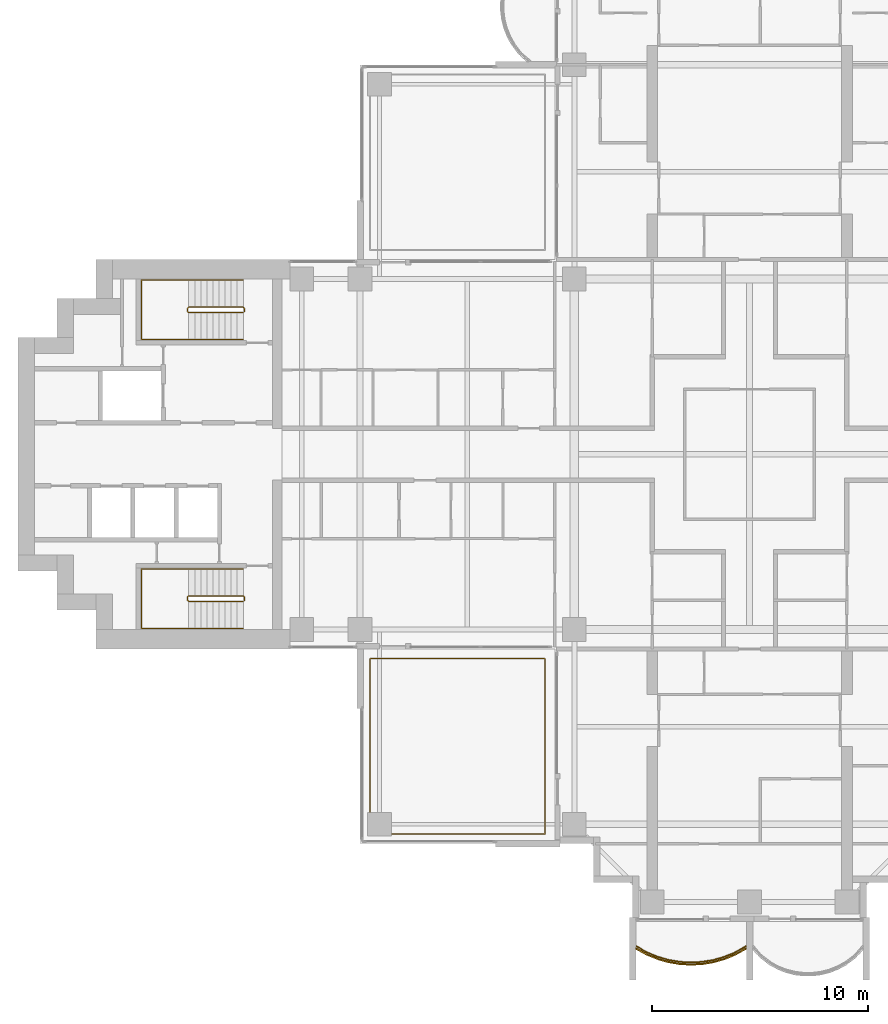
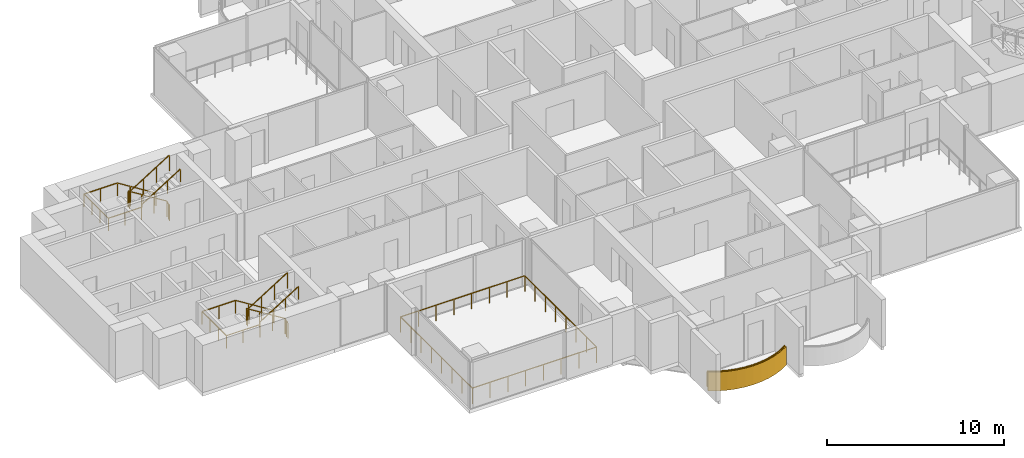
# One storey, part 16 of 19: 6 railings, 1 covering.
"""IFC4 building model written with IfcOpenShell, lengths in metres."""

from ifc_helpers import new_model, si_unit, direction, frame, origin, origin_2d, place, context, subcontext, project, spatial, polyline, rectangle, outline, extrude, material, layer, layer_set, type_object, element, save


model = new_model("IFC4")

# Units and contexts
model_context = context("Model", 3, precision=1e-05, world=origin(), true_north=direction((0.0, 1.0)))
body_context = subcontext(model_context, "Body", "Model", "MODEL_VIEW")
ifc_project = project(units=[si_unit("LENGTHUNIT", "METRE"), si_unit("AREAUNIT", "SQUARE_METRE"), si_unit("VOLUMEUNIT", "CUBIC_METRE"), si_unit("PLANEANGLEUNIT", "RADIAN"), si_unit("MASSUNIT", "GRAM", prefix="KILO")], contexts=[model_context])

# Site, building, storey
site_placement = place(None, origin())
site = spatial("IfcSite", under=ifc_project, at=site_placement, CompositionType="ELEMENT")
building_placement = place(site_placement, origin())
building = spatial("IfcBuilding", under=site, at=building_placement, Name="Perihelion Cross Residences", CompositionType="ELEMENT")
storey_placement = place(building_placement, frame((0.0, 0.0, 144.39990234375)))
storey = spatial("IfcBuildingStorey", under=building, at=storey_placement, Name="L35", CompositionType="ELEMENT", Elevation=144.39990234375)

# Covering
ifc_material_1 = material(Name="Bronze anodised aluminium", Category="aluminium")
ifc_layer = layer(ifc_material_1, 0.070068359375)
ifc_layer_set = layer_set([ifc_layer], Name="Balcony fascia 1300")
covering_type = type_object("IfcCoveringType", Name="Balcony fascia 1300", PredefinedType="CLADDING", material=ifc_layer_set)
covering_placement = place(storey_placement, frame((0.0, 0.0, -0.199951171875)))
element("IfcCovering", 1, at=covering_placement, inside=storey, type_object=covering_type, Name="Fascia BF1 L35 south tip south bay 1", PredefinedType="CLADDING", context=body_context, shape_type="SweptSolid", body=[
    extrude(outline(polyline([(-4.7705078125, -23.1484375), (-4.2529296875, -23.36083984375), (-3.735107421875, -23.506591796875), (-3.217529296875, -23.591796875), (-2.699951171875, -23.6201171875), (-2.182373046875, -23.591796875), (-1.664794921875, -23.506591796875), (-1.147216796875, -23.36083984375), (-0.629638671875, -23.1484375), (-0.14990234375, -22.880126953125), (-0.14990234375, -22.800048828125), (-0.659912109375, -23.085205078125), (-1.169921875, -23.294677734375), (-1.679931640625, -23.438232421875), (-2.18994140625, -23.522216796875), (-2.699951171875, -23.550048828125), (-3.2099609375, -23.522216796875), (-3.719970703125, -23.438232421875), (-4.22998046875, -23.294677734375), (-4.739990234375, -23.085205078125), (-5.25, -22.800048828125), (-5.25, -22.880126953125), (-4.7705078125, -23.1484375)])), origin(), (0.0, 0.0, 1.0), 1.300048828125),
])

# Railings
ifc_material_2 = material(Name="Bronze anodised aluminium", Category="aluminium")
railing_type_1 = type_object("IfcRailingType", Name="Balcony guard 1100", PredefinedType="GUARDRAIL", material=ifc_material_2)
railing_1_placement = place(storey_placement, frame((-5.22509765625, -22.739990234375, 0.0)))
element("IfcRailing", 2, at=railing_1_placement, inside=storey, type_object=railing_type_1, Name="Guard GU1 L35 south tip south bay 1 balcony", PredefinedType="GUARDRAIL", context=body_context, shape_type="SweptSolid", body=[
    extrude(rectangle(XDim=0.048095703125, YDim=0.048095703125, at=origin_2d()), frame((0.0, 0.0, 1.076171875), z_axis=(0.861900760591, -0.507076995033, 0.0), x_axis=(0.507076995033, 0.861900760591, 0.0)), (0.0, 0.0, 1.0), 0.562744140625),
    extrude(rectangle(XDim=0.048095703125, YDim=0.048095703125, at=origin_2d()), frame((0.485107421875, -0.285400390625, 1.076171875), z_axis=(0.925172605972, -0.379546636342, 0.0), x_axis=(0.379546636342, 0.925172605972, 0.0)), (0.0, 0.0, 1.0), 0.55126953125),
    extrude(rectangle(XDim=0.048095703125, YDim=0.048095703125, at=origin_2d()), frame((0.9951171875, -0.49462890625, 1.076171875), z_axis=(0.962594623481, -0.270945734134, 0.0), x_axis=(0.270945734134, 0.962594623481, 0.0)), (0.0, 0.0, 1.0), 0.52978515625),
    extrude(rectangle(XDim=0.048095703125, YDim=0.048095703125, at=origin_2d()), frame((1.505126953125, -0.63818359375, 1.076171875), z_axis=(0.98663538303, -0.162943612803, 0.0), x_axis=(0.162943612803, 0.98663538303, 0.0)), (0.0, 0.0, 1.0), 0.516845703125),
    extrude(rectangle(XDim=0.048095703125, YDim=0.048095703125, at=origin_2d()), frame((2.01513671875, -0.722412109375, 1.076171875), z_axis=(0.998540183677, -0.05401390175, 0.0), x_axis=(0.05401390175, 0.998540183677, 0.0)), (0.0, 0.0, 1.0), 0.5107421875),
    extrude(rectangle(XDim=0.048095703125, YDim=0.048095703125, at=origin_2d()), frame((2.525146484375, -0.75, 1.076171875), z_axis=(0.998540183677, 0.05401390175, 0.0), x_axis=(-0.05401390175, 0.998540183677, 0.0)), (0.0, 0.0, 1.0), 0.5107421875),
    extrude(rectangle(XDim=0.048095703125, YDim=0.048095703125, at=origin_2d()), frame((3.03515625, -0.722412109375, 1.076171875), z_axis=(0.98663538303, 0.162943612803, 0.0), x_axis=(-0.162943612803, 0.98663538303, 0.0)), (0.0, 0.0, 1.0), 0.516845703125),
    extrude(rectangle(XDim=0.048095703125, YDim=0.048095703125, at=origin_2d()), frame((3.545166015625, -0.63818359375, 1.076171875), z_axis=(0.962594623481, 0.270945734134, 0.0), x_axis=(-0.270945734134, 0.962594623481, 0.0)), (0.0, 0.0, 1.0), 0.52978515625),
    extrude(rectangle(XDim=0.048095703125, YDim=0.048095703125, at=origin_2d()), frame((4.05517578125, -0.49462890625, 1.076171875), z_axis=(0.925172605972, 0.379546636342, 0.0), x_axis=(-0.379546636342, 0.925172605972, 0.0)), (0.0, 0.0, 1.0), 0.55126953125),
    extrude(rectangle(XDim=0.048095703125, YDim=0.048095703125, at=origin_2d()), frame((4.565185546875, -0.285400390625, 1.076171875), z_axis=(0.861789164031, 0.507266632806, 0.0), x_axis=(-0.507266632806, 0.861789164031, 0.0)), (0.0, 0.0, 1.0), 0.562744140625),
    extrude(rectangle(XDim=0.0419921875, YDim=0.0419921875, at=origin_2d()), origin(), (0.0, 0.0, 1.0), 1.052001953125),
    extrude(rectangle(XDim=0.0419921875, YDim=0.0419921875, at=origin_2d()), frame((0.485107421875, -0.285400390625, 0.0)), (0.0, 0.0, 1.0), 1.052001953125),
    extrude(rectangle(XDim=0.0419921875, YDim=0.0419921875, at=origin_2d()), frame((0.9951171875, -0.49462890625, 0.0)), (0.0, 0.0, 1.0), 1.052001953125),
    extrude(rectangle(XDim=0.0419921875, YDim=0.0419921875, at=origin_2d()), frame((1.505126953125, -0.63818359375, 0.0)), (0.0, 0.0, 1.0), 1.052001953125),
    extrude(rectangle(XDim=0.0419921875, YDim=0.0419921875, at=origin_2d()), frame((2.01513671875, -0.722412109375, 0.0)), (0.0, 0.0, 1.0), 1.052001953125),
    extrude(rectangle(XDim=0.0419921875, YDim=0.0419921875, at=origin_2d()), frame((2.525146484375, -0.75, 0.0)), (0.0, 0.0, 1.0), 1.052001953125),
    extrude(rectangle(XDim=0.0419921875, YDim=0.0419921875, at=origin_2d()), frame((3.03515625, -0.722412109375, 0.0)), (0.0, 0.0, 1.0), 1.052001953125),
    extrude(rectangle(XDim=0.0419921875, YDim=0.0419921875, at=origin_2d()), frame((3.545166015625, -0.63818359375, 0.0)), (0.0, 0.0, 1.0), 1.052001953125),
    extrude(rectangle(XDim=0.0419921875, YDim=0.0419921875, at=origin_2d()), frame((4.05517578125, -0.49462890625, 0.0)), (0.0, 0.0, 1.0), 1.052001953125),
    extrude(rectangle(XDim=0.0419921875, YDim=0.0419921875, at=origin_2d()), frame((4.565185546875, -0.285400390625, 0.0)), (0.0, 0.0, 1.0), 1.052001953125),
    extrude(rectangle(XDim=0.0419921875, YDim=0.0419921875, at=origin_2d()), frame((5.050048828125, 0.0, 0.0)), (0.0, 0.0, 1.0), 1.052001953125),
])
railing_2_placement = place(storey_placement, frame((-9.449951171875, -17.550048828125, 0.0)))
element("IfcRailing", 3, at=railing_2_placement, inside=storey, type_object=railing_type_1, Name="Guard GU1 L35 pocket south-west 1", PredefinedType="GUARDRAIL", context=body_context, shape_type="SweptSolid", body=[
    extrude(rectangle(XDim=0.048095703125, YDim=0.048095703125, at=origin_2d()), frame((0.0, 0.0, 1.076171875), z_axis=(-1.0, 0.0, 0.0), x_axis=(0.0, -1.0, 0.0)), (0.0, 0.0, 1.0), 8.10009765625),
    extrude(rectangle(XDim=0.048095703125, YDim=0.048095703125, at=origin_2d()), frame((-8.10009765625, 0.0, 1.076171875), z_axis=(0.0, 1.0, 0.0), x_axis=(-1.0, 0.0, 0.0)), (0.0, 0.0, 1.0), 8.10009765625),
    extrude(rectangle(XDim=0.048095703125, YDim=0.048095703125, at=origin_2d()), frame((-8.10009765625, 8.10009765625, 1.076171875), z_axis=(1.0, 0.0, 0.0), x_axis=(0.0, 1.0, 0.0)), (0.0, 0.0, 1.0), 8.10009765625),
    extrude(rectangle(XDim=0.048095703125, YDim=0.048095703125, at=origin_2d()), frame((0.0, 8.10009765625, 1.076171875), z_axis=(0.0, -1.0, 0.0), x_axis=(1.0, 0.0, 0.0)), (0.0, 0.0, 1.0), 8.10009765625),
    extrude(rectangle(XDim=0.0419921875, YDim=0.0419921875, at=origin_2d()), origin(), (0.0, 0.0, 1.0), 1.052001953125),
    extrude(rectangle(XDim=0.0419921875, YDim=0.0419921875, at=origin_2d()), frame((-1.1572265625, 0.0, 0.0)), (0.0, 0.0, 1.0), 1.052001953125),
    extrude(rectangle(XDim=0.0419921875, YDim=0.0419921875, at=origin_2d()), frame((-2.314208984375, 0.0, 0.0)), (0.0, 0.0, 1.0), 1.052001953125),
    extrude(rectangle(XDim=0.0419921875, YDim=0.0419921875, at=origin_2d()), frame((-3.471435546875, 0.0, 0.0)), (0.0, 0.0, 1.0), 1.052001953125),
    extrude(rectangle(XDim=0.0419921875, YDim=0.0419921875, at=origin_2d()), frame((-4.628662109375, 0.0, 0.0)), (0.0, 0.0, 1.0), 1.052001953125),
    extrude(rectangle(XDim=0.0419921875, YDim=0.0419921875, at=origin_2d()), frame((-5.785888671875, 0.0, 0.0)), (0.0, 0.0, 1.0), 1.052001953125),
    extrude(rectangle(XDim=0.0419921875, YDim=0.0419921875, at=origin_2d()), frame((-6.94287109375, 0.0, 0.0)), (0.0, 0.0, 1.0), 1.052001953125),
    extrude(rectangle(XDim=0.0419921875, YDim=0.0419921875, at=origin_2d()), frame((-8.10009765625, 0.0, 0.0)), (0.0, 0.0, 1.0), 1.052001953125),
    extrude(rectangle(XDim=0.0419921875, YDim=0.0419921875, at=origin_2d()), frame((-8.10009765625, 1.1572265625, 0.0)), (0.0, 0.0, 1.0), 1.052001953125),
    extrude(rectangle(XDim=0.0419921875, YDim=0.0419921875, at=origin_2d()), frame((-8.10009765625, 2.314208984375, 0.0)), (0.0, 0.0, 1.0), 1.052001953125),
    extrude(rectangle(XDim=0.0419921875, YDim=0.0419921875, at=origin_2d()), frame((-8.10009765625, 3.471435546875, 0.0)), (0.0, 0.0, 1.0), 1.052001953125),
    extrude(rectangle(XDim=0.0419921875, YDim=0.0419921875, at=origin_2d()), frame((-8.10009765625, 4.628662109375, 0.0)), (0.0, 0.0, 1.0), 1.052001953125),
    extrude(rectangle(XDim=0.0419921875, YDim=0.0419921875, at=origin_2d()), frame((-8.10009765625, 5.785888671875, 0.0)), (0.0, 0.0, 1.0), 1.052001953125),
    extrude(rectangle(XDim=0.0419921875, YDim=0.0419921875, at=origin_2d()), frame((-8.10009765625, 6.94287109375, 0.0)), (0.0, 0.0, 1.0), 1.052001953125),
    extrude(rectangle(XDim=0.0419921875, YDim=0.0419921875, at=origin_2d()), frame((-8.10009765625, 8.10009765625, 0.0)), (0.0, 0.0, 1.0), 1.052001953125),
    extrude(rectangle(XDim=0.0419921875, YDim=0.0419921875, at=origin_2d()), frame((-6.94287109375, 8.10009765625, 0.0)), (0.0, 0.0, 1.0), 1.052001953125),
    extrude(rectangle(XDim=0.0419921875, YDim=0.0419921875, at=origin_2d()), frame((-5.785888671875, 8.10009765625, 0.0)), (0.0, 0.0, 1.0), 1.052001953125),
    extrude(rectangle(XDim=0.0419921875, YDim=0.0419921875, at=origin_2d()), frame((-4.628662109375, 8.10009765625, 0.0)), (0.0, 0.0, 1.0), 1.052001953125),
    extrude(rectangle(XDim=0.0419921875, YDim=0.0419921875, at=origin_2d()), frame((-3.471435546875, 8.10009765625, 0.0)), (0.0, 0.0, 1.0), 1.052001953125),
    extrude(rectangle(XDim=0.0419921875, YDim=0.0419921875, at=origin_2d()), frame((-2.314208984375, 8.10009765625, 0.0)), (0.0, 0.0, 1.0), 1.052001953125),
    extrude(rectangle(XDim=0.0419921875, YDim=0.0419921875, at=origin_2d()), frame((-1.1572265625, 8.10009765625, 0.0)), (0.0, 0.0, 1.0), 1.052001953125),
    extrude(rectangle(XDim=0.0419921875, YDim=0.0419921875, at=origin_2d()), frame((0.0, 8.10009765625, 0.0)), (0.0, 0.0, 1.0), 1.052001953125),
    extrude(rectangle(XDim=0.0419921875, YDim=0.0419921875, at=origin_2d()), frame((0.0, 6.94287109375, 0.0)), (0.0, 0.0, 1.0), 1.052001953125),
    extrude(rectangle(XDim=0.0419921875, YDim=0.0419921875, at=origin_2d()), frame((0.0, 5.785888671875, 0.0)), (0.0, 0.0, 1.0), 1.052001953125),
    extrude(rectangle(XDim=0.0419921875, YDim=0.0419921875, at=origin_2d()), frame((0.0, 4.628662109375, 0.0)), (0.0, 0.0, 1.0), 1.052001953125),
    extrude(rectangle(XDim=0.0419921875, YDim=0.0419921875, at=origin_2d()), frame((0.0, 3.471435546875, 0.0)), (0.0, 0.0, 1.0), 1.052001953125),
    extrude(rectangle(XDim=0.0419921875, YDim=0.0419921875, at=origin_2d()), frame((0.0, 2.314208984375, 0.0)), (0.0, 0.0, 1.0), 1.052001953125),
    extrude(rectangle(XDim=0.0419921875, YDim=0.0419921875, at=origin_2d()), frame((0.0, 1.1572265625, 0.0)), (0.0, 0.0, 1.0), 1.052001953125),
])
ifc_material_3 = material(Name="Stainless steel", Category="steel")
railing_type_2 = type_object("IfcRailingType", Name="Stair guard 1100", PredefinedType="GUARDRAIL", material=ifc_material_3)
railing_3_placement = place(storey_placement, frame((-23.35009765625, 6.60009765625, 0.0)))
element("IfcRailing", 4, at=railing_3_placement, inside=storey, type_object=railing_type_2, Name="L35 ST-W1 stair guard 1", PredefinedType="GUARDRAIL", context=body_context, shape_type="SweptSolid", body=[
    extrude(rectangle(XDim=0.048095703125, YDim=0.048095703125, at=origin_2d()), frame((0.0, 0.0, 1.076171875), z_axis=(0.0, 1.0, 0.0), x_axis=(-1.0, 0.0, 0.0)), (0.0, 0.0, 1.0), 0.14990234375),
    extrude(rectangle(XDim=0.048095703125, YDim=0.048095703125, at=origin_2d()), frame((0.0, 0.14990234375, 1.076171875), z_axis=(-0.263862480399, 0.265155923931, 0.927399011991), x_axis=(-0.708833529934, -0.705375805398, 0.0)), (0.0, 0.0, 1.0), 0.188720703125),
    extrude(rectangle(XDim=0.048095703125, YDim=0.048095703125, at=origin_2d()), frame((-0.0498046875, 0.199951171875, 1.2509765625), z_axis=(-0.848007534815, 0.0, 0.529984170421), x_axis=(0.0, -1.0, 0.0)), (0.0, 0.0, 1.0), 2.9716796875),
    extrude(rectangle(XDim=0.048095703125, YDim=0.048095703125, at=origin_2d()), frame((-2.56982421875, 0.199951171875, 2.826171875), z_axis=(-0.707106781187, -0.707106781187, 0.0), x_axis=(0.707106781187, -0.707106781187, 0.0)), (0.0, 0.0, 1.0), 0.07080078125),
    extrude(rectangle(XDim=0.048095703125, YDim=0.048095703125, at=origin_2d()), frame((-2.619873046875, 0.14990234375, 2.826171875), z_axis=(0.0, -1.0, 0.0), x_axis=(1.0, 0.0, 0.0)), (0.0, 0.0, 1.0), 0.14990234375),
    extrude(rectangle(XDim=0.048095703125, YDim=0.048095703125, at=origin_2d()), frame((-2.619873046875, 0.0, 2.826171875), z_axis=(0.265065253269, -0.265065253269, 0.927081885822), x_axis=(0.707106781187, 0.707106781187, 0.0)), (0.0, 0.0, 1.0), 0.188720703125),
    extrude(rectangle(XDim=0.048095703125, YDim=0.048095703125, at=origin_2d()), frame((-2.56982421875, -0.050048828125, 3.0009765625), z_axis=(0.848007534815, 0.0, 0.529984170421), x_axis=(0.0, 1.0, 0.0)), (0.0, 0.0, 1.0), 2.9716796875),
    extrude(rectangle(XDim=0.0419921875, YDim=0.0419921875, at=origin_2d()), origin(), (0.0, 0.0, 1.0), 1.052001953125),
    extrude(rectangle(XDim=0.0419921875, YDim=0.0419921875, at=origin_2d()), frame((0.0, 0.14990234375, 0.0)), (0.0, 0.0, 1.0), 1.052001953125),
    extrude(rectangle(XDim=0.0419921875, YDim=0.0419921875, at=origin_2d()), frame((-0.0498046875, 0.199951171875, 0.175048828125)), (0.0, 0.0, 1.0), 1.052001953125),
    extrude(rectangle(XDim=0.0419921875, YDim=0.0419921875, at=origin_2d()), frame((-0.889892578125, 0.199951171875, 0.699951171875)), (0.0, 0.0, 1.0), 1.052001953125),
    extrude(rectangle(XDim=0.0419921875, YDim=0.0419921875, at=origin_2d()), frame((-1.729736328125, 0.199951171875, 1.22509765625)), (0.0, 0.0, 1.0), 1.052001953125),
    extrude(rectangle(XDim=0.0419921875, YDim=0.0419921875, at=origin_2d()), frame((-2.56982421875, 0.199951171875, 1.75)), (0.0, 0.0, 1.0), 1.052001953125),
    extrude(rectangle(XDim=0.0419921875, YDim=0.0419921875, at=origin_2d()), frame((-2.619873046875, 0.14990234375, 1.75)), (0.0, 0.0, 1.0), 1.052001953125),
    extrude(rectangle(XDim=0.0419921875, YDim=0.0419921875, at=origin_2d()), frame((-2.619873046875, 0.0, 1.75)), (0.0, 0.0, 1.0), 1.052001953125),
    extrude(rectangle(XDim=0.0419921875, YDim=0.0419921875, at=origin_2d()), frame((-2.56982421875, -0.050048828125, 1.925048828125)), (0.0, 0.0, 1.0), 1.052001953125),
    extrude(rectangle(XDim=0.0419921875, YDim=0.0419921875, at=origin_2d()), frame((-1.729736328125, -0.050048828125, 2.449951171875)), (0.0, 0.0, 1.0), 1.052001953125),
    extrude(rectangle(XDim=0.0419921875, YDim=0.0419921875, at=origin_2d()), frame((-0.889892578125, -0.050048828125, 2.97509765625)), (0.0, 0.0, 1.0), 1.052001953125),
    extrude(rectangle(XDim=0.0419921875, YDim=0.0419921875, at=origin_2d()), frame((-0.0498046875, -0.050048828125, 3.5)), (0.0, 0.0, 1.0), 1.052001953125),
])
railing_4_placement = place(storey_placement, frame((-23.35009765625, -6.75, 0.0)))
element("IfcRailing", 5, at=railing_4_placement, inside=storey, type_object=railing_type_2, Name="L35 ST-W2 stair guard 1", PredefinedType="GUARDRAIL", context=body_context, shape_type="SweptSolid", body=[
    extrude(rectangle(XDim=0.048095703125, YDim=0.048095703125, at=origin_2d()), frame((0.0, 0.0, 1.076171875), z_axis=(0.0, 1.0, 0.0), x_axis=(-1.0, 0.0, 0.0)), (0.0, 0.0, 1.0), 0.14990234375),
    extrude(rectangle(XDim=0.048095703125, YDim=0.048095703125, at=origin_2d()), frame((0.0, 0.14990234375, 1.076171875), z_axis=(-0.263862480399, 0.265155923931, 0.927399011991), x_axis=(-0.708833529934, -0.705375805398, 0.0)), (0.0, 0.0, 1.0), 0.188720703125),
    extrude(rectangle(XDim=0.048095703125, YDim=0.048095703125, at=origin_2d()), frame((-0.0498046875, 0.199951171875, 1.2509765625), z_axis=(-0.848007534815, 0.0, 0.529984170421), x_axis=(0.0, -1.0, 0.0)), (0.0, 0.0, 1.0), 2.9716796875),
    extrude(rectangle(XDim=0.048095703125, YDim=0.048095703125, at=origin_2d()), frame((-2.56982421875, 0.199951171875, 2.826171875), z_axis=(-0.707106781187, -0.707106781187, 0.0), x_axis=(0.707106781187, -0.707106781187, 0.0)), (0.0, 0.0, 1.0), 0.07080078125),
    extrude(rectangle(XDim=0.048095703125, YDim=0.048095703125, at=origin_2d()), frame((-2.619873046875, 0.14990234375, 2.826171875), z_axis=(0.0, -1.0, 0.0), x_axis=(1.0, 0.0, 0.0)), (0.0, 0.0, 1.0), 0.14990234375),
    extrude(rectangle(XDim=0.048095703125, YDim=0.048095703125, at=origin_2d()), frame((-2.619873046875, 0.0, 2.826171875), z_axis=(0.265065253269, -0.265065253269, 0.927081885822), x_axis=(0.707106781187, 0.707106781187, 0.0)), (0.0, 0.0, 1.0), 0.188720703125),
    extrude(rectangle(XDim=0.048095703125, YDim=0.048095703125, at=origin_2d()), frame((-2.56982421875, -0.050048828125, 3.0009765625), z_axis=(0.848007534815, 0.0, 0.529984170421), x_axis=(0.0, 1.0, 0.0)), (0.0, 0.0, 1.0), 2.9716796875),
    extrude(rectangle(XDim=0.0419921875, YDim=0.0419921875, at=origin_2d()), origin(), (0.0, 0.0, 1.0), 1.052001953125),
    extrude(rectangle(XDim=0.0419921875, YDim=0.0419921875, at=origin_2d()), frame((0.0, 0.14990234375, 0.0)), (0.0, 0.0, 1.0), 1.052001953125),
    extrude(rectangle(XDim=0.0419921875, YDim=0.0419921875, at=origin_2d()), frame((-0.0498046875, 0.199951171875, 0.175048828125)), (0.0, 0.0, 1.0), 1.052001953125),
    extrude(rectangle(XDim=0.0419921875, YDim=0.0419921875, at=origin_2d()), frame((-0.889892578125, 0.199951171875, 0.699951171875)), (0.0, 0.0, 1.0), 1.052001953125),
    extrude(rectangle(XDim=0.0419921875, YDim=0.0419921875, at=origin_2d()), frame((-1.729736328125, 0.199951171875, 1.22509765625)), (0.0, 0.0, 1.0), 1.052001953125),
    extrude(rectangle(XDim=0.0419921875, YDim=0.0419921875, at=origin_2d()), frame((-2.56982421875, 0.199951171875, 1.75)), (0.0, 0.0, 1.0), 1.052001953125),
    extrude(rectangle(XDim=0.0419921875, YDim=0.0419921875, at=origin_2d()), frame((-2.619873046875, 0.14990234375, 1.75)), (0.0, 0.0, 1.0), 1.052001953125),
    extrude(rectangle(XDim=0.0419921875, YDim=0.0419921875, at=origin_2d()), frame((-2.619873046875, 0.0, 1.75)), (0.0, 0.0, 1.0), 1.052001953125),
    extrude(rectangle(XDim=0.0419921875, YDim=0.0419921875, at=origin_2d()), frame((-2.56982421875, -0.050048828125, 1.925048828125)), (0.0, 0.0, 1.0), 1.052001953125),
    extrude(rectangle(XDim=0.0419921875, YDim=0.0419921875, at=origin_2d()), frame((-1.729736328125, -0.050048828125, 2.449951171875)), (0.0, 0.0, 1.0), 1.052001953125),
    extrude(rectangle(XDim=0.0419921875, YDim=0.0419921875, at=origin_2d()), frame((-0.889892578125, -0.050048828125, 2.97509765625)), (0.0, 0.0, 1.0), 1.052001953125),
    extrude(rectangle(XDim=0.0419921875, YDim=0.0419921875, at=origin_2d()), frame((-0.0498046875, -0.050048828125, 3.5)), (0.0, 0.0, 1.0), 1.052001953125),
])
ifc_material_4 = material(Name="Stainless steel", Category="steel")
railing_type_3 = type_object("IfcRailingType", Name="Stair handrail 900", PredefinedType="HANDRAIL", material=ifc_material_4)
railing_5_placement = place(storey_placement, frame((-23.39990234375, 8.050048828125, 0.175048828125)))
element("IfcRailing", 6, at=railing_5_placement, inside=storey, type_object=railing_type_3, Name="L35 ST-W1 stair handrail 1", PredefinedType="HANDRAIL", context=body_context, shape_type="SweptSolid", body=[
    extrude(rectangle(XDim=0.048095703125, YDim=0.048095703125, at=origin_2d()), frame((0.0, 0.0, 0.8759765625), z_axis=(-0.848007534815, 0.0, 0.529984170421), x_axis=(0.0, -1.0, 0.0)), (0.0, 0.0, 1.0), 2.9716796875),
    extrude(rectangle(XDim=0.048095703125, YDim=0.048095703125, at=origin_2d()), frame((-2.52001953125, 0.0, 2.45068359375), z_axis=(-1.0, 0.0, 0.0), x_axis=(0.0, -1.0, 0.0)), (0.0, 0.0, 1.0), 2.18017578125),
    extrude(rectangle(XDim=0.048095703125, YDim=0.048095703125, at=origin_2d()), frame((-4.7001953125, 0.0, 2.45068359375), z_axis=(0.0, -1.0, 0.0), x_axis=(1.0, 0.0, 0.0)), (0.0, 0.0, 1.0), 2.75),
    extrude(rectangle(XDim=0.048095703125, YDim=0.048095703125, at=origin_2d()), frame((-4.7001953125, -2.75, 2.45068359375), z_axis=(1.0, 0.0, 0.0), x_axis=(0.0, 1.0, 0.0)), (0.0, 0.0, 1.0), 2.18017578125),
    extrude(rectangle(XDim=0.048095703125, YDim=0.048095703125, at=origin_2d()), frame((-2.52001953125, -2.75, 2.45068359375), z_axis=(0.0, 0.0, 1.0), x_axis=(1.0, 0.0, 0.0)), (0.0, 0.0, 1.0), 0.175048828125),
    extrude(rectangle(XDim=0.048095703125, YDim=0.048095703125, at=origin_2d()), frame((-2.52001953125, -2.75, 2.6259765625), z_axis=(0.848007534815, 0.0, 0.529984170421), x_axis=(0.0, 1.0, 0.0)), (0.0, 0.0, 1.0), 2.9716796875),
    extrude(rectangle(XDim=0.0419921875, YDim=0.0419921875, at=origin_2d()), origin(), (0.0, 0.0, 1.0), 0.851806640625),
    extrude(rectangle(XDim=0.0419921875, YDim=0.0419921875, at=origin_2d()), frame((-0.840087890625, 0.0, 0.52490234375)), (0.0, 0.0, 1.0), 0.851806640625),
    extrude(rectangle(XDim=0.0419921875, YDim=0.0419921875, at=origin_2d()), frame((-1.679931640625, 0.0, 1.050048828125)), (0.0, 0.0, 1.0), 0.851806640625),
    extrude(rectangle(XDim=0.0419921875, YDim=0.0419921875, at=origin_2d()), frame((-2.52001953125, 0.0, 1.574951171875)), (0.0, 0.0, 1.0), 0.851806640625),
    extrude(rectangle(XDim=0.0419921875, YDim=0.0419921875, at=origin_2d()), frame((-3.610107421875, 0.0, 1.574951171875)), (0.0, 0.0, 1.0), 0.851806640625),
    extrude(rectangle(XDim=0.0419921875, YDim=0.0419921875, at=origin_2d()), frame((-4.7001953125, 0.0, 1.574951171875)), (0.0, 0.0, 1.0), 0.851806640625),
    extrude(rectangle(XDim=0.0419921875, YDim=0.0419921875, at=origin_2d()), frame((-4.7001953125, -0.916748046875, 1.574951171875)), (0.0, 0.0, 1.0), 0.851806640625),
    extrude(rectangle(XDim=0.0419921875, YDim=0.0419921875, at=origin_2d()), frame((-4.7001953125, -1.833251953125, 1.574951171875)), (0.0, 0.0, 1.0), 0.851806640625),
    extrude(rectangle(XDim=0.0419921875, YDim=0.0419921875, at=origin_2d()), frame((-4.7001953125, -2.75, 1.574951171875)), (0.0, 0.0, 1.0), 0.851806640625),
    extrude(rectangle(XDim=0.0419921875, YDim=0.0419921875, at=origin_2d()), frame((-3.610107421875, -2.75, 1.574951171875)), (0.0, 0.0, 1.0), 0.851806640625),
    extrude(rectangle(XDim=0.0419921875, YDim=0.0419921875, at=origin_2d()), frame((-2.52001953125, -2.75, 1.574951171875)), (0.0, 0.0, 1.0), 0.851806640625),
    extrude(rectangle(XDim=0.0419921875, YDim=0.0419921875, at=origin_2d()), frame((-2.52001953125, -2.75, 1.75)), (0.0, 0.0, 1.0), 0.851806640625),
    extrude(rectangle(XDim=0.0419921875, YDim=0.0419921875, at=origin_2d()), frame((-1.679931640625, -2.75, 2.27490234375)), (0.0, 0.0, 1.0), 0.851806640625),
    extrude(rectangle(XDim=0.0419921875, YDim=0.0419921875, at=origin_2d()), frame((-0.840087890625, -2.75, 2.800048828125)), (0.0, 0.0, 1.0), 0.851806640625),
    extrude(rectangle(XDim=0.0419921875, YDim=0.0419921875, at=origin_2d()), frame((0.0, -2.75, 3.324951171875)), (0.0, 0.0, 1.0), 0.851806640625),
])
railing_6_placement = place(storey_placement, frame((-23.39990234375, -5.300048828125, 0.175048828125)))
element("IfcRailing", 7, at=railing_6_placement, inside=storey, type_object=railing_type_3, Name="L35 ST-W2 stair handrail 1", PredefinedType="HANDRAIL", context=body_context, shape_type="SweptSolid", body=[
    extrude(rectangle(XDim=0.048095703125, YDim=0.048095703125, at=origin_2d()), frame((0.0, 0.0, 0.8759765625), z_axis=(-0.848007534815, 0.0, 0.529984170421), x_axis=(0.0, -1.0, 0.0)), (0.0, 0.0, 1.0), 2.9716796875),
    extrude(rectangle(XDim=0.048095703125, YDim=0.048095703125, at=origin_2d()), frame((-2.52001953125, 0.0, 2.45068359375), z_axis=(-1.0, 0.0, 0.0), x_axis=(0.0, -1.0, 0.0)), (0.0, 0.0, 1.0), 2.18017578125),
    extrude(rectangle(XDim=0.048095703125, YDim=0.048095703125, at=origin_2d()), frame((-4.7001953125, 0.0, 2.45068359375), z_axis=(0.0, -1.0, 0.0), x_axis=(1.0, 0.0, 0.0)), (0.0, 0.0, 1.0), 2.75),
    extrude(rectangle(XDim=0.048095703125, YDim=0.048095703125, at=origin_2d()), frame((-4.7001953125, -2.75, 2.45068359375), z_axis=(1.0, 0.0, 0.0), x_axis=(0.0, 1.0, 0.0)), (0.0, 0.0, 1.0), 2.18017578125),
    extrude(rectangle(XDim=0.048095703125, YDim=0.048095703125, at=origin_2d()), frame((-2.52001953125, -2.75, 2.45068359375), z_axis=(0.0, 0.0, 1.0), x_axis=(1.0, 0.0, 0.0)), (0.0, 0.0, 1.0), 0.175048828125),
    extrude(rectangle(XDim=0.048095703125, YDim=0.048095703125, at=origin_2d()), frame((-2.52001953125, -2.75, 2.6259765625), z_axis=(0.848007534815, 0.0, 0.529984170421), x_axis=(0.0, 1.0, 0.0)), (0.0, 0.0, 1.0), 2.9716796875),
    extrude(rectangle(XDim=0.0419921875, YDim=0.0419921875, at=origin_2d()), origin(), (0.0, 0.0, 1.0), 0.851806640625),
    extrude(rectangle(XDim=0.0419921875, YDim=0.0419921875, at=origin_2d()), frame((-0.840087890625, 0.0, 0.52490234375)), (0.0, 0.0, 1.0), 0.851806640625),
    extrude(rectangle(XDim=0.0419921875, YDim=0.0419921875, at=origin_2d()), frame((-1.679931640625, 0.0, 1.050048828125)), (0.0, 0.0, 1.0), 0.851806640625),
    extrude(rectangle(XDim=0.0419921875, YDim=0.0419921875, at=origin_2d()), frame((-2.52001953125, 0.0, 1.574951171875)), (0.0, 0.0, 1.0), 0.851806640625),
    extrude(rectangle(XDim=0.0419921875, YDim=0.0419921875, at=origin_2d()), frame((-3.610107421875, 0.0, 1.574951171875)), (0.0, 0.0, 1.0), 0.851806640625),
    extrude(rectangle(XDim=0.0419921875, YDim=0.0419921875, at=origin_2d()), frame((-4.7001953125, 0.0, 1.574951171875)), (0.0, 0.0, 1.0), 0.851806640625),
    extrude(rectangle(XDim=0.0419921875, YDim=0.0419921875, at=origin_2d()), frame((-4.7001953125, -0.916748046875, 1.574951171875)), (0.0, 0.0, 1.0), 0.851806640625),
    extrude(rectangle(XDim=0.0419921875, YDim=0.0419921875, at=origin_2d()), frame((-4.7001953125, -1.833251953125, 1.574951171875)), (0.0, 0.0, 1.0), 0.851806640625),
    extrude(rectangle(XDim=0.0419921875, YDim=0.0419921875, at=origin_2d()), frame((-4.7001953125, -2.75, 1.574951171875)), (0.0, 0.0, 1.0), 0.851806640625),
    extrude(rectangle(XDim=0.0419921875, YDim=0.0419921875, at=origin_2d()), frame((-3.610107421875, -2.75, 1.574951171875)), (0.0, 0.0, 1.0), 0.851806640625),
    extrude(rectangle(XDim=0.0419921875, YDim=0.0419921875, at=origin_2d()), frame((-2.52001953125, -2.75, 1.574951171875)), (0.0, 0.0, 1.0), 0.851806640625),
    extrude(rectangle(XDim=0.0419921875, YDim=0.0419921875, at=origin_2d()), frame((-2.52001953125, -2.75, 1.75)), (0.0, 0.0, 1.0), 0.851806640625),
    extrude(rectangle(XDim=0.0419921875, YDim=0.0419921875, at=origin_2d()), frame((-1.679931640625, -2.75, 2.27490234375)), (0.0, 0.0, 1.0), 0.851806640625),
    extrude(rectangle(XDim=0.0419921875, YDim=0.0419921875, at=origin_2d()), frame((-0.840087890625, -2.75, 2.800048828125)), (0.0, 0.0, 1.0), 0.851806640625),
    extrude(rectangle(XDim=0.0419921875, YDim=0.0419921875, at=origin_2d()), frame((0.0, -2.75, 3.324951171875)), (0.0, 0.0, 1.0), 0.851806640625),
])

save(model, "model.ifc")
